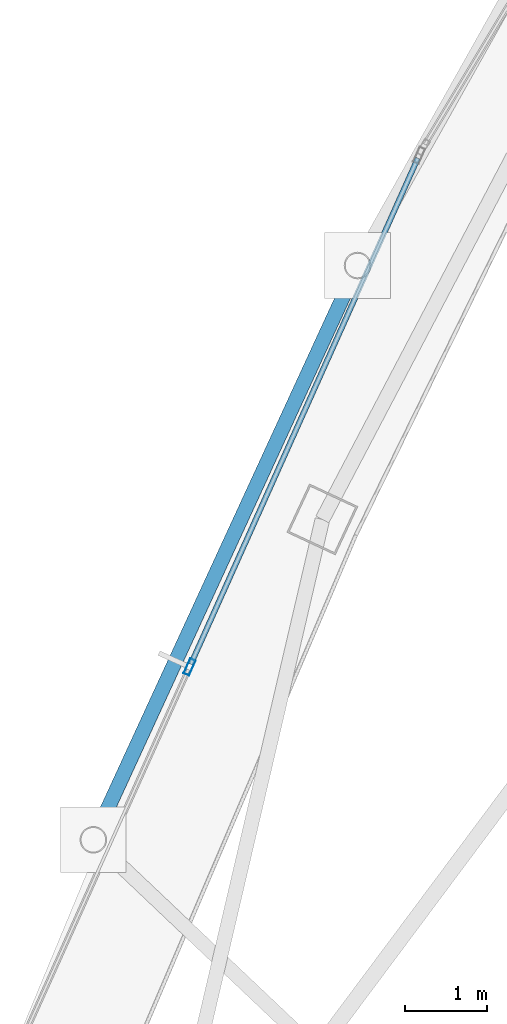
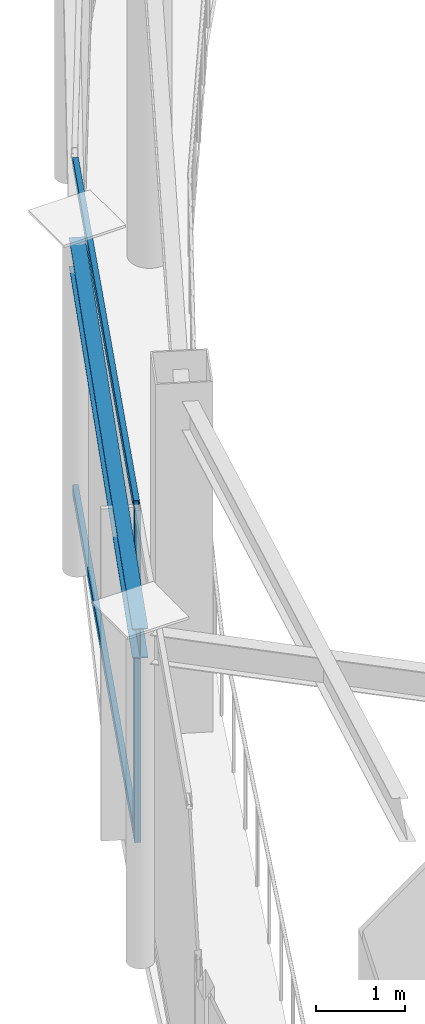
# One storey, part 4 of 19: 3 members, 1 beam, 1 element without a shape of its own.
"""IFC4 building model written with IfcOpenShell, lengths in metres."""

from ifc_helpers import new_model, si_unit, direction, frame, origin, origin_2d, place, context, subcontext, project, spatial, hollow_rectangle, i_section, extrude, material, layer, layer_set, material_profile, profile_set, type_object, element, aggregate, save


model = new_model("IFC4")

# Units and contexts
model_context = context("Model", 3, precision=1e-05, world=origin(), true_north=direction((0.0, 1.0)))
body_context = subcontext(model_context, "Body", "Model", "MODEL_VIEW")
ifc_project = project(units=[si_unit("LENGTHUNIT", "METRE"), si_unit("AREAUNIT", "SQUARE_METRE"), si_unit("VOLUMEUNIT", "CUBIC_METRE"), si_unit("PLANEANGLEUNIT", "RADIAN"), si_unit("MASSUNIT", "GRAM", prefix="KILO")], contexts=[model_context])

# Site, building, storey
site_placement = place(None, origin())
site = spatial("IfcSite", under=ifc_project, at=site_placement, CompositionType="ELEMENT")
building_placement = place(site_placement, origin())
building = spatial("IfcBuilding", under=site, at=building_placement, Name="Orvanel Arch Residences", CompositionType="ELEMENT")
storey_placement = place(building_placement, frame((0.0, 0.0, 290.89990234375)))
storey = spatial("IfcBuildingStorey", under=building, at=storey_placement, Name="L82", CompositionType="ELEMENT", Elevation=290.89990234375)

# Curtain wall, member
ifc_material_1 = material(Name="Bronze-anodised aluminium AA6063-T6", Category="aluminium")
ifc_layer = layer(ifc_material_1, 0.2099609375)
ifc_layer_set = layer_set([ifc_layer], Name="Bronze-anodised aluminium AA6063-T6")
curtain_wall_type = type_object("IfcCurtainWallType", Name="CW7-TOP-SYS", PredefinedType="NOTDEFINED", material=ifc_layer_set)
curtain_wall_placement = place(storey_placement, origin())
curtain_wall = element("IfcCurtainWall", 1, at=curtain_wall_placement, inside=storey, type_object=curtain_wall_type, Name="L82 CW7-TOP-SYS Unitised Curtain Wall", PredefinedType="NOTDEFINED")
ifc_material_profile_1 = material_profile(ifc_material_1, hollow_rectangle(XDim=0.074951171875, YDim=0.199951171875, WallThickness=0.0048828125, at=origin_2d()), Name="ALU200x75x5")
ifc_profile_set_1 = profile_set([ifc_material_profile_1], Name="Bronze-anodised aluminium AA6063-T6")
member_type_1 = type_object("IfcMemberType", Name="MUL-200x75", PredefinedType="MULLION", material=ifc_profile_set_1)
member_1_placement = place(storey_placement, frame((14.75, 17.845947265625, 0.0), z_axis=(0.0, 0.0, 1.0), x_axis=(0.912376147447, -0.40935286193, 0.0)))
member_1 = element("IfcMember", 2, at=member_1_placement, type_object=member_type_1, Name="CW-S7 mullion 2", PredefinedType="MULLION", context=body_context, shape_type="SweptSolid", body=[
    extrude(hollow_rectangle(XDim=0.074951171875, YDim=0.199951171875, WallThickness=0.0048828125, at=origin_2d()), origin(), (0.0, 0.0, 1.0), 4.550048828125),
])

# Beam
ifc_material_2 = material(Name="Structural steel AS/NZS 3679.1 Grade 300 (300 MPa)", Category="steel")
ifc_material_profile_2 = material_profile(ifc_material_2, i_section(OverallWidth=0.177978515625, OverallDepth=0.406005859375, WebThickness=0.0078125, FlangeThickness=0.0126953125, at=origin_2d()), Name="410UB59.7")
ifc_profile_set_2 = profile_set([ifc_material_profile_2], Name="Structural steel AS/NZS 3679.1 Grade 300 (300 MPa)")
beam_type = type_object("IfcBeamType", Name="OB-410UB-EXT", PredefinedType="SPANDREL", material=ifc_profile_set_2)
beam_placement = place(storey_placement, frame((16.794921875, 22.73388671875, 4.34716796875), z_axis=(-0.417937545069, -0.908475761054, 0.0), x_axis=(0.908475761054, -0.417937545069, 0.0)))
element("IfcBeam", 3, at=beam_placement, inside=storey, type_object=beam_type, Name="L82 Outer Perimeter Floor Ring Beam 03", PredefinedType="SPANDREL", context=body_context, shape_type="SweptSolid", body=[
    extrude(i_section(OverallWidth=0.177978515625, OverallDepth=0.406005859375, WebThickness=0.0078125, FlangeThickness=0.0126953125, at=origin_2d()), origin(), (0.0, 0.0, 1.0), 7.697509765625),
])

# Member
ifc_material_profile_3 = material_profile(ifc_material_1, hollow_rectangle(XDim=0.06494140625, YDim=0.14990234375, WallThickness=0.00390625, at=origin_2d()), Name="ALU150x65x4")
ifc_profile_set_3 = profile_set([ifc_material_profile_3], Name="Bronze-anodised aluminium AA6063-T6")
member_type_2 = type_object("IfcMemberType", Name="TRN-150x65", PredefinedType="USERDEFINED", material=ifc_profile_set_3)
member_2_placement = place(storey_placement, frame((17.529296875, 24.04052734375, 0.03271484375), z_axis=(-0.409346580659, -0.912378965618, 0.0), x_axis=(0.912378965618, -0.409346580659, 0.0)))
member_2 = element("IfcMember", 4, at=member_2_placement, type_object=member_type_2, Name="CW-S7 transom 1.1", ObjectType="TRANSOM", PredefinedType="USERDEFINED", context=body_context, shape_type="SweptSolid", body=[
    extrude(hollow_rectangle(XDim=0.06494140625, YDim=0.14990234375, WallThickness=0.00390625, at=origin_2d()), origin(), (0.0, 0.0, 1.0), 6.751953125),
])

member_3_placement = place(storey_placement, frame((17.529296875, 24.04052734375, 4.517578125), z_axis=(-0.409346580659, -0.912378965618, 0.0), x_axis=(0.912378965618, -0.409346580659, 0.0)))
member_3 = element("IfcMember", 5, at=member_3_placement, type_object=member_type_2, Name="CW-S7 transom 1.2", ObjectType="TRANSOM", PredefinedType="USERDEFINED", context=body_context, shape_type="SweptSolid", body=[
    extrude(hollow_rectangle(XDim=0.06494140625, YDim=0.14990234375, WallThickness=0.00390625, at=origin_2d()), origin(), (0.0, 0.0, 1.0), 6.751953125),
])

aggregate(curtain_wall, [member_1, member_2, member_3])

save(model, "model.ifc")
